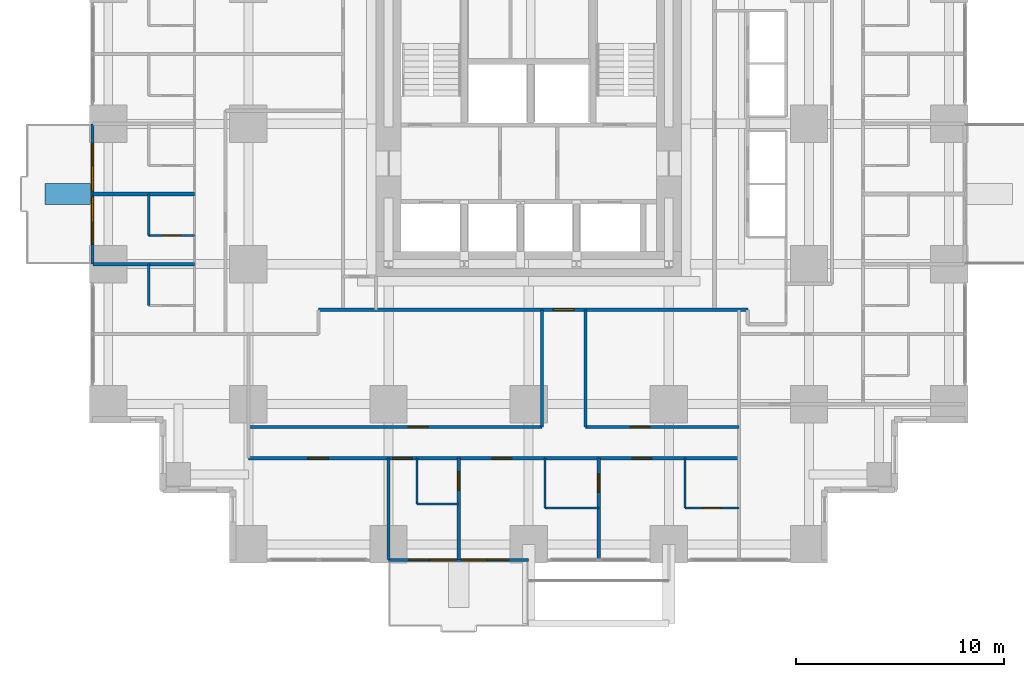
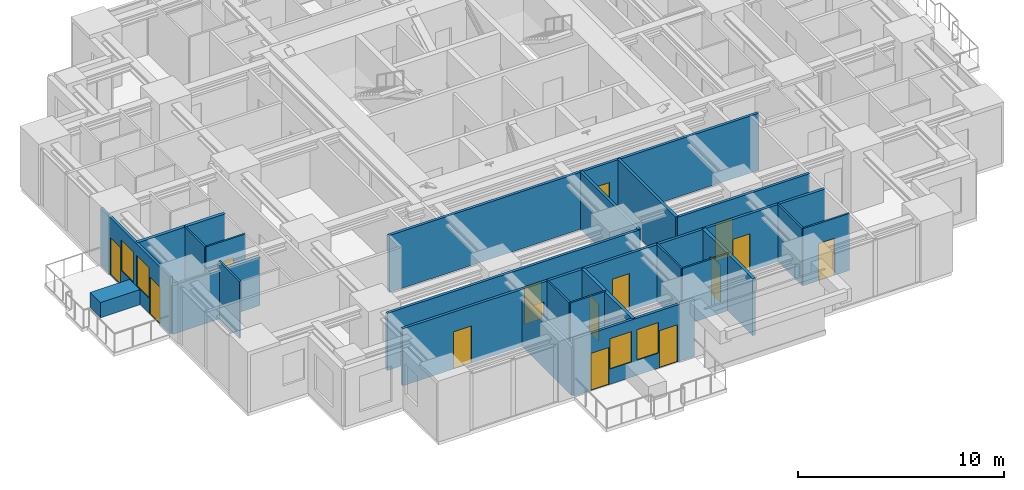
# One storey, part 7 of 13: 23 walls, 15 doors, 4 windows, 19 openings.
"""IFC4 building model written with IfcOpenShell, lengths in metres."""

import ifcopenshell
import ifcopenshell.guid

model = None  # the IFC model being written
_history = None  # IfcOwnerHistory: only IFC2X3 demands one
_inside = {}  # id of a spatial element -> (the spatial element, [elements in it])
_under = {}  # id of a project, library or spatial element -> (it, [spatial elements below it])
_declared = {}  # id of a project -> (the project, [libraries it declares])
_typed = {}  # id of a type object -> (the type object, [elements of that type])
_made_of = {}  # id of a material, layer set ... -> (it, [elements and type objects made of it])


def new_model(schema):
    """Start an empty IFC model of exactly this schema.

    Asked for "IFC4X3", IfcOpenShell would pick the latest addendum, in which some entities
    have other attributes; the version numbers below select the first issue.
    IFC2X3 requires an IfcOwnerHistory on every rooted entity: one is made here for all.
    """
    global model, _history
    if schema == "IFC4X3":
        model = ifcopenshell.file(schema_version=(4, 3, 0, 0))
    else:
        model = ifcopenshell.file(schema=schema)
    _inside.clear()
    _under.clear()
    _declared.clear()
    _typed.clear()
    _made_of.clear()
    _history = None
    if model.schema == "IFC2X3":
        org = make("IfcOrganization", Name="unknown")
        user = make(
            "IfcPersonAndOrganization",
            ThePerson=make("IfcPerson", FamilyName="unknown"),
            TheOrganization=org,
        )
        app = make(
            "IfcApplication",
            ApplicationDeveloper=org,
            Version="unknown",
            ApplicationFullName="unknown",
            ApplicationIdentifier="unknown",
        )
        _history = make(
            "IfcOwnerHistory",
            OwningUser=user,
            OwningApplication=app,
            ChangeAction="ADDED",
            CreationDate=0,
        )
    return model


def make(cls, **values):
    """One entity of the class cls with the attributes given. An attribute that is None is left unset."""
    return model.create_entity(
        cls, **{name: value for name, value in values.items() if value is not None}
    )


def rooted(cls, **values):
    """An entity with a GlobalId (a new one), such as an element, a storey or a relation."""
    return make(cls, GlobalId=ifcopenshell.guid.new(), OwnerHistory=_history, **values)


def si_unit(unit_type, name, prefix=None):
    """IfcSIUnit, for example si_unit("LENGTHUNIT", "METRE", prefix="MILLI")."""
    return make("IfcSIUnit", UnitType=unit_type, Prefix=prefix, Name=name)


def assignment(units):
    """IfcUnitAssignment: the units of a project."""
    return None if units is None else make("IfcUnitAssignment", Units=units)


def point(xyz):
    """IfcCartesianPoint."""
    return None if xyz is None else make("IfcCartesianPoint", Coordinates=xyz)


def direction(xyz):
    """IfcDirection."""
    return None if xyz is None else make("IfcDirection", DirectionRatios=xyz)


def frame(location, z_axis=None, x_axis=None):
    """IfcAxis2Placement3D, a coordinate frame: its origin and axes. An axis left out is left unset."""
    return make(
        "IfcAxis2Placement3D",
        Location=point(location),
        Axis=direction(z_axis),
        RefDirection=direction(x_axis),
    )


def frame_2d(location, x_axis=None):
    """IfcAxis2Placement2D, a coordinate frame in the plane: its origin and x axis."""
    return make(
        "IfcAxis2Placement2D", Location=point(location), RefDirection=direction(x_axis)
    )


def origin():
    """The frame at (0, 0, 0) with its axes left unset."""
    return frame((0.0, 0.0, 0.0))


def place(relative_to, where):
    """IfcLocalPlacement: puts the frame where relative to a parent placement (None: the world)."""
    return make(
        "IfcLocalPlacement", PlacementRelTo=relative_to, RelativePlacement=where
    )


def context(
    kind, dimensions, precision=None, world=None, true_north=None, identifier=None
):
    """IfcGeometricRepresentationContext, for example the 3D "Model" context."""
    return make(
        "IfcGeometricRepresentationContext",
        ContextIdentifier=identifier,
        ContextType=kind,
        CoordinateSpaceDimension=dimensions,
        Precision=precision,
        WorldCoordinateSystem=world,
        TrueNorth=true_north,
    )


def subcontext(parent, identifier, kind, view, scale=None):
    """IfcGeometricRepresentationSubContext, for example "Body" below "Model"."""
    return make(
        "IfcGeometricRepresentationSubContext",
        ContextIdentifier=identifier,
        ContextType=kind,
        ParentContext=parent,
        TargetScale=scale,
        TargetView=view,
    )


def project(units=None, contexts=None):
    """IfcProject with its units and contexts."""
    return rooted(
        "IfcProject",
        Name="project",
        RepresentationContexts=contexts,
        UnitsInContext=assignment(units),
    )


def spatial(cls, under=None, at=None, **own):
    """A site, building, storey or space (cls), placed at a placement, below another one or the project."""
    s = rooted(cls, ObjectPlacement=at, **own)
    if under is not None:
        _under.setdefault(under.id(), (under, []))[1].append(s)
    return s


def profile(cls, at=None, kind="AREA", **sizes):
    """A parametric profile (cls). Its sizes go by their IFC names, for example OverallWidth=200.0."""
    return make(cls, ProfileType=kind, Position=at, **sizes)


def rectangle(**sizes):
    """IfcRectangleProfileDef."""
    return profile("IfcRectangleProfileDef", **sizes)


def extrude(swept, where, along, depth):
    """IfcExtrudedAreaSolid: the profile swept, set in the frame where, extruded along a direction by depth."""
    return make(
        "IfcExtrudedAreaSolid",
        SweptArea=swept,
        Position=where,
        ExtrudedDirection=direction(along),
        Depth=depth,
    )


def shape(context_of_items, identifier, shape_type, items):
    """IfcShapeRepresentation: the items that make up one representation, for example the "Body"."""
    return make(
        "IfcShapeRepresentation",
        ContextOfItems=context_of_items,
        RepresentationIdentifier=identifier,
        RepresentationType=shape_type,
        Items=items,
    )


def material(Name=None, Category=None):
    """IfcMaterial."""
    return make("IfcMaterial", Name=Name, Category=Category)


def layer(
    of_material, thickness, ventilated=None, Name=None, Category=None, Priority=None
):
    """IfcMaterialLayer: one layer of a wall or slab, of a material (None: an air gap)."""
    return make(
        "IfcMaterialLayer",
        Material=of_material,
        LayerThickness=thickness,
        IsVentilated=ventilated,
        Name=Name,
        Category=Category,
        Priority=Priority,
    )


def layer_set(layers, Name=None):
    """IfcMaterialLayerSet."""
    return make("IfcMaterialLayerSet", MaterialLayers=layers, LayerSetName=Name)


def made_of(thing, what):
    """Note that an element or type object is made of a material, layer set ...; save() writes the relation."""
    if what is not None:
        _made_of.setdefault(what.id(), (what, []))[1].append(thing)
    return thing


def type_object(cls, material=None, **own):
    """A type object (cls), such as IfcWallType, which elements share."""
    return made_of(rooted(cls, **own), material)


def element(
    cls,
    number,
    at=None,
    inside=None,
    cuts=None,
    type_object=None,
    material=None,
    context=None,
    identifier="Body",
    shape_type=None,
    held_by="IfcProductDefinitionShape",
    body=None,
    shapes=None,
    **own,
):
    """One element of the class cls, such as IfcWall. Its Tag is "e" and its number.

    at: its placement. inside: the storey or other place that contains it. cuts: it is an
    opening in that element (IfcRelVoidsElement). A single representation is given by context,
    identifier, shape_type and body (its items); several are given by shapes. held_by: the class
    of the entity that holds the representations. save() writes the other relations.
    """
    e = rooted(cls, Tag="e%d" % number, ObjectPlacement=at, **own)
    if body is not None:
        shapes = [shape(context, identifier, shape_type, body)]
    if shapes is not None:
        e.Representation = make(held_by, Representations=shapes)
    if inside is not None:
        _inside.setdefault(inside.id(), (inside, []))[1].append(e)
    if cuts is not None:
        rooted(
            "IfcRelVoidsElement", RelatingBuildingElement=cuts, RelatedOpeningElement=e
        )
    if type_object is not None:
        _typed.setdefault(type_object.id(), (type_object, []))[1].append(e)
    return made_of(e, material)


def fill(opening, filler):
    """IfcRelFillsElement: the door or window that sits in an opening."""
    return rooted(
        "IfcRelFillsElement",
        RelatingOpeningElement=opening,
        RelatedBuildingElement=filler,
    )


def aggregate(whole, parts):
    """IfcRelAggregates: a whole, such as a stair, and the parts it consists of."""
    return rooted("IfcRelAggregates", RelatingObject=whole, RelatedObjects=parts)


def save(model, path):
    """Write the relations noted so far, then the file.

    IfcRelAggregates (storeys below a building ...), IfcRelContainedInSpatialStructure (elements
    in a storey), IfcRelDefinesByType, IfcRelAssociatesMaterial and IfcRelDeclares: one each for
    every whole, place, type object, material and project.
    """
    for whole, parts in _under.values():
        aggregate(whole, parts)
    for where, things in _inside.values():
        rooted(
            "IfcRelContainedInSpatialStructure",
            RelatedElements=things,
            RelatingStructure=where,
        )
    for kind, things in _typed.values():
        rooted("IfcRelDefinesByType", RelatedObjects=things, RelatingType=kind)
    for what, things in _made_of.values():
        rooted("IfcRelAssociatesMaterial", RelatedObjects=things, RelatingMaterial=what)
    for by, libraries in _declared.values():
        rooted("IfcRelDeclares", RelatingContext=by, RelatedDefinitions=libraries)
    model.write(path)


model = new_model("IFC4")

# Units and contexts
model_context = context("Model", 3, precision=1e-05, world=origin(), true_north=direction((0.0, 1.0)))
body_context = subcontext(model_context, "Body", "Model", "MODEL_VIEW")
ifc_project = project(units=[si_unit("LENGTHUNIT", "METRE"), si_unit("AREAUNIT", "SQUARE_METRE"), si_unit("VOLUMEUNIT", "CUBIC_METRE"), si_unit("PLANEANGLEUNIT", "RADIAN"), si_unit("MASSUNIT", "GRAM", prefix="KILO")], contexts=[model_context])

# Site, building, storey
site_placement = place(None, origin())
site = spatial("IfcSite", under=ifc_project, at=site_placement, CompositionType="ELEMENT")
building_placement = place(site_placement, origin())
building = spatial("IfcBuilding", under=site, at=building_placement, Name="Nyansa Garden Tower", CompositionType="ELEMENT")
storey_placement = place(building_placement, frame((0.0, 0.0, 94.5)))
storey = spatial("IfcBuildingStorey", under=building, at=storey_placement, Name="L25", CompositionType="ELEMENT", Elevation=94.5)

# Walls
ifc_material_1 = material(Name="Dense blockwork, plastered both sides, 55 dB", Category="masonry")
ifc_layer_1 = layer(ifc_material_1, 0.175048828125)
ifc_layer_set_1 = layer_set([ifc_layer_1], Name="Acoustic party wall PW175")
wall_type_1 = type_object("IfcWallType", Name="Acoustic party wall PW175", PredefinedType="PARTITIONING", material=ifc_layer_set_1)
wall_1_placement = place(storey_placement, frame((-0.73388671875, 13.5, 0.0), z_axis=(0.0, 0.0, 1.0), x_axis=(1.0, 0.0, 0.0)))
element("IfcWall", 1, at=wall_1_placement, inside=storey, type_object=wall_type_1, Name="Party wall", PredefinedType="PARTITIONING", context=body_context, shape_type="SweptSolid", body=[
    extrude(rectangle(XDim=4.8837890625, YDim=0.175048828125, at=frame_2d((2.44189453125, 0.0))), origin(), (0.0, 0.0, 1.0), 2.876953125),
])
wall_2_placement = place(storey_placement, frame((-0.73388671875, 16.875, 0.0), z_axis=(0.0, 0.0, 1.0), x_axis=(1.0, 0.0, 0.0)))
element("IfcWall", 2, at=wall_2_placement, inside=storey, type_object=wall_type_1, Name="Party wall", PredefinedType="PARTITIONING", context=body_context, shape_type="SweptSolid", body=[
    extrude(rectangle(XDim=4.8837890625, YDim=0.175048828125, at=frame_2d((2.44189453125, 0.0))), origin(), (0.0, 0.0, 1.0), 3.375),
])

# Wall, opening, door
wall_3_placement = place(storey_placement, frame((16.875, -0.73388671875, 0.0), z_axis=(0.0, 0.0, 1.0), x_axis=(0.0, 1.0, 0.0)))
wall_3 = element("IfcWall", 3, at=wall_3_placement, inside=storey, type_object=wall_type_1, Name="Party wall", PredefinedType="PARTITIONING", context=body_context, shape_type="SweptSolid", body=[
    extrude(rectangle(XDim=4.8837890625, YDim=0.175048828125, at=frame_2d((2.44189453125, 0.0))), origin(), (0.0, 0.0, 1.0), 3.375),
])
opening_1_placement = place(wall_3_placement, frame((3.333984375, 0.0, 0.0)))
opening_1 = element("IfcOpeningElement", 4, at=opening_1_placement, cuts=wall_3, Name="Opening D02", PredefinedType="OPENING", context=body_context, shape_type="SweptSolid", body=[
    extrude(rectangle(XDim=0.89990234375, YDim=2.199951171875, at=frame_2d((0.449951171875, 1.10009765625))), frame((0.0, 0.097412109375, 0.0), z_axis=(0.0, -1.0, 0.0), x_axis=(1.0, 0.0, 0.0)), (0.0, 0.0, 1.0), 0.195068359375),
])
ifc_material_2 = material(Name="Timber flush door", Category="wood")
door_type_1 = type_object("IfcDoorType", Name="En-suite door D02 900x2200", OperationType="SINGLE_SWING_RIGHT", PredefinedType="DOOR", material=ifc_material_2)
door_1_placement = place(opening_1_placement, origin())
door_1 = element("IfcDoor", 5, at=door_1_placement, inside=storey, type_object=door_type_1, Name="Door L25-023", OperationType="SINGLE_SWING_RIGHT", OverallHeight=2.199951171875, OverallWidth=0.89990234375, PredefinedType="DOOR", context=body_context, shape_type="SweptSolid", body=[
    extrude(rectangle(XDim=0.89990234375, YDim=2.199951171875, at=frame_2d((0.449951171875, 1.10009765625))), frame((0.0, 0.02490234375, 0.0), z_axis=(0.0, -1.0, 0.0), x_axis=(1.0, 0.0, 0.0)), (0.0, 0.0, 1.0), 0.050048828125),
])
fill(opening_1, door_1)

wall_4_placement = place(storey_placement, frame((23.625, -0.73388671875, 0.0), z_axis=(0.0, 0.0, 1.0), x_axis=(0.0, 1.0, 0.0)))
wall_4 = element("IfcWall", 6, at=wall_4_placement, inside=storey, type_object=wall_type_1, Name="Party wall", PredefinedType="PARTITIONING", context=body_context, shape_type="SweptSolid", body=[
    extrude(rectangle(XDim=4.8837890625, YDim=0.175048828125, at=frame_2d((2.44189453125, 0.0))), origin(), (0.0, 0.0, 1.0), 3.375),
])
opening_2_placement = place(wall_4_placement, frame((3.23388671875, 0.0, 0.0)))
opening_2 = element("IfcOpeningElement", 7, at=opening_2_placement, cuts=wall_4, Name="Opening D02", PredefinedType="OPENING", context=body_context, shape_type="SweptSolid", body=[
    extrude(rectangle(XDim=0.89990234375, YDim=2.199951171875, at=frame_2d((0.449951171875, 1.10009765625))), frame((0.0, 0.097412109375, 0.0), z_axis=(0.0, -1.0, 0.0), x_axis=(1.0, 0.0, 0.0)), (0.0, 0.0, 1.0), 0.195068359375),
])
door_2_placement = place(opening_2_placement, origin())
door_2 = element("IfcDoor", 8, at=door_2_placement, inside=storey, type_object=door_type_1, Name="Door L25-021", OperationType="SINGLE_SWING_RIGHT", OverallHeight=2.199951171875, OverallWidth=0.89990234375, PredefinedType="DOOR", context=body_context, shape_type="SweptSolid", body=[
    extrude(rectangle(XDim=0.89990234375, YDim=2.199951171875, at=frame_2d((0.449951171875, 1.10009765625))), frame((0.0, 0.02490234375, 0.0), z_axis=(0.0, -1.0, 0.0), x_axis=(1.0, 0.0, 0.0)), (0.0, 0.0, 1.0), 0.050048828125),
])
fill(opening_2, door_2)

# Wall, openings, doors, windows
ifc_material_3 = material(Name="Black aluminium framed glazed screen", Category="aluminium")
ifc_layer_2 = layer(ifc_material_3, 0.14990234375)
ifc_layer_set_2 = layer_set([ifc_layer_2], Name="Balcony screen wall BW150")
wall_type_2 = type_object("IfcWallType", Name="Balcony screen wall BW150", PredefinedType="SOLIDWALL", material=ifc_layer_set_2)
wall_5_placement = place(storey_placement, frame((-0.75, 13.5, 0.0), z_axis=(0.0, 0.0, 1.0), x_axis=(0.0, 1.0, 0.0)))
wall_5 = element("IfcWall", 9, at=wall_5_placement, inside=storey, type_object=wall_type_2, Name="Glazed screen wall L25 W", PredefinedType="SOLIDWALL", context=body_context, shape_type="SweptSolid", body=[
    extrude(rectangle(XDim=6.75, YDim=0.14990234375, at=frame_2d((3.375, 0.0))), origin(), (0.0, 0.0, 1.0), 3.375),
])
opening_3_placement = place(wall_5_placement, frame((0.96240234375, 0.0, 0.0)))
opening_3 = element("IfcOpeningElement", 10, at=opening_3_placement, cuts=wall_5, Name="Opening D20", PredefinedType="OPENING", context=body_context, shape_type="SweptSolid", body=[
    extrude(rectangle(XDim=1.0, YDim=2.199951171875, at=frame_2d((0.5, 1.10009765625))), frame((0.0, 0.0849609375, 0.0), z_axis=(0.0, -1.0, 0.0), x_axis=(1.0, 0.0, 0.0)), (0.0, 0.0, 1.0), 0.169921875),
])
opening_4_placement = place(wall_5_placement, frame((2.02490234375, 0.0, 0.89990234375)))
opening_4 = element("IfcOpeningElement", 11, at=opening_4_placement, cuts=wall_5, Name="Opening W6", PredefinedType="OPENING", context=body_context, shape_type="SweptSolid", body=[
    extrude(rectangle(XDim=1.199951171875, YDim=1.800048828125, at=frame_2d((0.60009765625, 0.89990234375))), frame((0.0, 0.0849609375, 0.0), z_axis=(0.0, -1.0, 0.0), x_axis=(1.0, 0.0, 0.0)), (0.0, 0.0, 1.0), 0.169921875),
])
opening_5_placement = place(wall_5_placement, frame((4.78759765625, 0.0, 0.0)))
opening_5 = element("IfcOpeningElement", 12, at=opening_5_placement, cuts=wall_5, Name="Opening D20", PredefinedType="OPENING", context=body_context, shape_type="SweptSolid", body=[
    extrude(rectangle(XDim=1.0, YDim=2.199951171875, at=frame_2d((0.5, 1.10009765625))), frame((0.0, 0.0849609375, 0.0), z_axis=(0.0, -1.0, 0.0), x_axis=(1.0, 0.0, 0.0)), (0.0, 0.0, 1.0), 0.169921875),
])
opening_6_placement = place(wall_5_placement, frame((3.52490234375, 0.0, 0.89990234375)))
opening_6 = element("IfcOpeningElement", 13, at=opening_6_placement, cuts=wall_5, Name="Opening W6", PredefinedType="OPENING", context=body_context, shape_type="SweptSolid", body=[
    extrude(rectangle(XDim=1.199951171875, YDim=1.800048828125, at=frame_2d((0.60009765625, 0.89990234375))), frame((0.0, 0.0849609375, 0.0), z_axis=(0.0, -1.0, 0.0), x_axis=(1.0, 0.0, 0.0)), (0.0, 0.0, 1.0), 0.169921875),
])
ifc_material_4 = material(Name="Black aluminium framed glazed door", Category="aluminium")
door_type_2 = type_object("IfcDoorType", Name="Balcony door D20 1000x2200", OperationType="NOTDEFINED", PredefinedType="DOOR", material=ifc_material_4)
door_3_placement = place(opening_3_placement, origin())
door_3 = element("IfcDoor", 14, at=door_3_placement, inside=storey, type_object=door_type_2, Name="Balcony door L25", OperationType="SINGLE_SWING_LEFT", OverallHeight=2.199951171875, OverallWidth=1.0, PredefinedType="DOOR", context=body_context, shape_type="SweptSolid", body=[
    extrude(rectangle(XDim=1.0, YDim=2.199951171875, at=frame_2d((0.5, 1.10009765625))), frame((0.0, 0.02490234375, 0.0), z_axis=(0.0, -1.0, 0.0), x_axis=(1.0, 0.0, 0.0)), (0.0, 0.0, 1.0), 0.050048828125),
])
fill(opening_3, door_3)
door_4_placement = place(opening_5_placement, origin())
door_4 = element("IfcDoor", 15, at=door_4_placement, inside=storey, type_object=door_type_2, Name="Balcony door L25", OperationType="SINGLE_SWING_RIGHT", OverallHeight=2.199951171875, OverallWidth=1.0, PredefinedType="DOOR", context=body_context, shape_type="SweptSolid", body=[
    extrude(rectangle(XDim=1.0, YDim=2.199951171875, at=frame_2d((0.5, 1.10009765625))), frame((0.0, 0.02490234375, 0.0), z_axis=(0.0, -1.0, 0.0), x_axis=(1.0, 0.0, 0.0)), (0.0, 0.0, 1.0), 0.050048828125),
])
fill(opening_5, door_4)
ifc_material_5 = material(Name="Black aluminium frame, dark tinted double glazing", Category="aluminium")
window_type = type_object("IfcWindowType", Name="Balcony window W6 1200x1800", PartitioningType="SINGLE_PANEL", PredefinedType="WINDOW", material=ifc_material_5)
window_1_placement = place(opening_4_placement, origin())
window_1 = element("IfcWindow", 16, at=window_1_placement, inside=storey, type_object=window_type, Name="Window L25", OverallHeight=1.800048828125, OverallWidth=1.199951171875, PartitioningType="SINGLE_PANEL", PredefinedType="WINDOW", context=body_context, shape_type="SweptSolid", body=[
    extrude(rectangle(XDim=1.199951171875, YDim=1.800048828125, at=frame_2d((0.60009765625, 0.89990234375))), frame((0.0, 0.030029296875, 0.0), z_axis=(0.0, -1.0, 0.0), x_axis=(1.0, 0.0, 0.0)), (0.0, 0.0, 1.0), 0.06005859375),
])
fill(opening_4, window_1)
window_2_placement = place(opening_6_placement, origin())
window_2 = element("IfcWindow", 17, at=window_2_placement, inside=storey, type_object=window_type, Name="Window L25", OverallHeight=1.800048828125, OverallWidth=1.199951171875, PartitioningType="SINGLE_PANEL", PredefinedType="WINDOW", context=body_context, shape_type="SweptSolid", body=[
    extrude(rectangle(XDim=1.199951171875, YDim=1.800048828125, at=frame_2d((0.60009765625, 0.89990234375))), frame((0.0, 0.030029296875, 0.0), z_axis=(0.0, -1.0, 0.0), x_axis=(1.0, 0.0, 0.0)), (0.0, 0.0, 1.0), 0.06005859375),
])
fill(opening_6, window_2)

wall_6_placement = place(storey_placement, frame((20.25, -0.75, 0.0), z_axis=(0.0, 0.0, 1.0), x_axis=(-1.0, 0.0, 0.0)))
wall_6 = element("IfcWall", 18, at=wall_6_placement, inside=storey, type_object=wall_type_2, Name="Glazed screen wall L25 S", PredefinedType="SOLIDWALL", context=body_context, shape_type="SweptSolid", body=[
    extrude(rectangle(XDim=6.75, YDim=0.14990234375, at=frame_2d((3.375, 0.0))), origin(), (0.0, 0.0, 1.0), 3.375),
])
opening_7_placement = place(wall_6_placement, frame((0.96240234375, 0.0, 0.0)))
opening_7 = element("IfcOpeningElement", 19, at=opening_7_placement, cuts=wall_6, Name="Opening D20", PredefinedType="OPENING", context=body_context, shape_type="SweptSolid", body=[
    extrude(rectangle(XDim=1.0, YDim=2.199951171875, at=frame_2d((0.5, 1.10009765625))), frame((0.0, 0.0849609375, 0.0), z_axis=(0.0, -1.0, 0.0), x_axis=(1.0, 0.0, 0.0)), (0.0, 0.0, 1.0), 0.169921875),
])
opening_8_placement = place(wall_6_placement, frame((2.02490234375, 0.0, 0.89990234375)))
opening_8 = element("IfcOpeningElement", 20, at=opening_8_placement, cuts=wall_6, Name="Opening W6", PredefinedType="OPENING", context=body_context, shape_type="SweptSolid", body=[
    extrude(rectangle(XDim=1.199951171875, YDim=1.800048828125, at=frame_2d((0.60009765625, 0.89990234375))), frame((0.0, 0.0849609375, 0.0), z_axis=(0.0, -1.0, 0.0), x_axis=(1.0, 0.0, 0.0)), (0.0, 0.0, 1.0), 0.169921875),
])
opening_9_placement = place(wall_6_placement, frame((4.78759765625, 0.0, 0.0)))
opening_9 = element("IfcOpeningElement", 21, at=opening_9_placement, cuts=wall_6, Name="Opening D20", PredefinedType="OPENING", context=body_context, shape_type="SweptSolid", body=[
    extrude(rectangle(XDim=1.0, YDim=2.199951171875, at=frame_2d((0.5, 1.10009765625))), frame((0.0, 0.0849609375, 0.0), z_axis=(0.0, -1.0, 0.0), x_axis=(1.0, 0.0, 0.0)), (0.0, 0.0, 1.0), 0.169921875),
])
opening_10_placement = place(wall_6_placement, frame((3.52490234375, 0.0, 0.89990234375)))
opening_10 = element("IfcOpeningElement", 22, at=opening_10_placement, cuts=wall_6, Name="Opening W6", PredefinedType="OPENING", context=body_context, shape_type="SweptSolid", body=[
    extrude(rectangle(XDim=1.199951171875, YDim=1.800048828125, at=frame_2d((0.60009765625, 0.89990234375))), frame((0.0, 0.0849609375, 0.0), z_axis=(0.0, -1.0, 0.0), x_axis=(1.0, 0.0, 0.0)), (0.0, 0.0, 1.0), 0.169921875),
])
door_5_placement = place(opening_7_placement, origin())
door_5 = element("IfcDoor", 23, at=door_5_placement, inside=storey, type_object=door_type_2, Name="Balcony door L25", OperationType="SINGLE_SWING_LEFT", OverallHeight=2.199951171875, OverallWidth=1.0, PredefinedType="DOOR", context=body_context, shape_type="SweptSolid", body=[
    extrude(rectangle(XDim=1.0, YDim=2.199951171875, at=frame_2d((0.5, 1.10009765625))), frame((0.0, 0.02490234375, 0.0), z_axis=(0.0, -1.0, 0.0), x_axis=(1.0, 0.0, 0.0)), (0.0, 0.0, 1.0), 0.050048828125),
])
fill(opening_7, door_5)
door_6_placement = place(opening_9_placement, origin())
door_6 = element("IfcDoor", 24, at=door_6_placement, inside=storey, type_object=door_type_2, Name="Balcony door L25", OperationType="SINGLE_SWING_RIGHT", OverallHeight=2.199951171875, OverallWidth=1.0, PredefinedType="DOOR", context=body_context, shape_type="SweptSolid", body=[
    extrude(rectangle(XDim=1.0, YDim=2.199951171875, at=frame_2d((0.5, 1.10009765625))), frame((0.0, 0.02490234375, 0.0), z_axis=(0.0, -1.0, 0.0), x_axis=(1.0, 0.0, 0.0)), (0.0, 0.0, 1.0), 0.050048828125),
])
fill(opening_9, door_6)
window_3_placement = place(opening_8_placement, origin())
window_3 = element("IfcWindow", 25, at=window_3_placement, inside=storey, type_object=window_type, Name="Window L25", OverallHeight=1.800048828125, OverallWidth=1.199951171875, PartitioningType="SINGLE_PANEL", PredefinedType="WINDOW", context=body_context, shape_type="SweptSolid", body=[
    extrude(rectangle(XDim=1.199951171875, YDim=1.800048828125, at=frame_2d((0.60009765625, 0.89990234375))), frame((0.0, 0.030029296875, 0.0), z_axis=(0.0, -1.0, 0.0), x_axis=(1.0, 0.0, 0.0)), (0.0, 0.0, 1.0), 0.06005859375),
])
fill(opening_8, window_3)
window_4_placement = place(opening_10_placement, origin())
window_4 = element("IfcWindow", 26, at=window_4_placement, inside=storey, type_object=window_type, Name="Window L25", OverallHeight=1.800048828125, OverallWidth=1.199951171875, PartitioningType="SINGLE_PANEL", PredefinedType="WINDOW", context=body_context, shape_type="SweptSolid", body=[
    extrude(rectangle(XDim=1.199951171875, YDim=1.800048828125, at=frame_2d((0.60009765625, 0.89990234375))), frame((0.0, 0.030029296875, 0.0), z_axis=(0.0, -1.0, 0.0), x_axis=(1.0, 0.0, 0.0)), (0.0, 0.0, 1.0), 0.06005859375),
])
fill(opening_10, window_4)

# Wall, openings, doors
ifc_material_6 = material(Name="Blockwork, plastered both sides", Category="masonry")
ifc_layer_3 = layer(ifc_material_6, 0.14990234375)
ifc_layer_set_3 = layer_set([ifc_layer_3], Name="Partition PW150")
wall_type_3 = type_object("IfcWallType", Name="Partition PW150", PredefinedType="PARTITIONING", material=ifc_layer_set_3)
wall_7_placement = place(storey_placement, frame((6.75, 4.14990234375, 0.0), z_axis=(0.0, 0.0, 1.0), x_axis=(1.0, 0.0, 0.0)))
wall_7 = element("IfcWall", 27, at=wall_7_placement, inside=storey, type_object=wall_type_3, Name="Partition", PredefinedType="PARTITIONING", context=body_context, shape_type="SweptSolid", body=[
    extrude(rectangle(XDim=23.625, YDim=0.14990234375, at=frame_2d((11.8125, 0.0))), origin(), (0.0, 0.0, 1.0), 3.375),
])
opening_11_placement = place(wall_7_placement, frame((2.85009765625, 0.0, 0.0)))
opening_11 = element("IfcOpeningElement", 28, at=opening_11_placement, cuts=wall_7, Name="Opening D03", PredefinedType="OPENING", context=body_context, shape_type="SweptSolid", body=[
    extrude(rectangle(XDim=1.0, YDim=2.199951171875, at=frame_2d((0.5, 1.10009765625))), frame((0.0, 0.0849609375, 0.0), z_axis=(0.0, -1.0, 0.0), x_axis=(1.0, 0.0, 0.0)), (0.0, 0.0, 1.0), 0.169921875),
])
opening_12_placement = place(wall_7_placement, frame((18.47509765625, 0.0, 0.0)))
opening_12 = element("IfcOpeningElement", 29, at=opening_12_placement, cuts=wall_7, Name="Opening D14", PredefinedType="OPENING", context=body_context, shape_type="SweptSolid", body=[
    extrude(rectangle(XDim=0.949951171875, YDim=2.199951171875, at=frame_2d((0.47509765625, 1.10009765625))), frame((0.0, 0.0849609375, 0.0), z_axis=(0.0, -1.0, 0.0), x_axis=(1.0, 0.0, 0.0)), (0.0, 0.0, 1.0), 0.169921875),
])
opening_13_placement = place(wall_7_placement, frame((11.72509765625, 0.0, 0.0)))
opening_13 = element("IfcOpeningElement", 30, at=opening_13_placement, cuts=wall_7, Name="Opening D14", PredefinedType="OPENING", context=body_context, shape_type="SweptSolid", body=[
    extrude(rectangle(XDim=0.949951171875, YDim=2.199951171875, at=frame_2d((0.47509765625, 1.10009765625))), frame((0.0, 0.0849609375, 0.0), z_axis=(0.0, -1.0, 0.0), x_axis=(1.0, 0.0, 0.0)), (0.0, 0.0, 1.0), 0.169921875),
])
opening_14_placement = place(wall_7_placement, frame((6.949951171875, 0.0, 0.0)))
opening_14 = element("IfcOpeningElement", 31, at=opening_14_placement, cuts=wall_7, Name="Opening D14", PredefinedType="OPENING", context=body_context, shape_type="SweptSolid", body=[
    extrude(rectangle(XDim=0.949951171875, YDim=2.199951171875, at=frame_2d((0.47509765625, 1.10009765625))), frame((0.0, 0.0849609375, 0.0), z_axis=(0.0, -1.0, 0.0), x_axis=(1.0, 0.0, 0.0)), (0.0, 0.0, 1.0), 0.169921875),
])
ifc_material_7 = material(Name="Timber flush door, 60 minute fire resisting", Category="wood")
door_type_3 = type_object("IfcDoorType", Name="Cluster entrance door D03 1000x2200", OperationType="SINGLE_SWING_LEFT", PredefinedType="DOOR", material=ifc_material_7)
door_7_placement = place(opening_11_placement, origin())
door_7 = element("IfcDoor", 32, at=door_7_placement, inside=storey, type_object=door_type_3, Name="Door L25-017", OperationType="SINGLE_SWING_LEFT", OverallHeight=2.199951171875, OverallWidth=1.0, PredefinedType="DOOR", context=body_context, shape_type="SweptSolid", body=[
    extrude(rectangle(XDim=1.0, YDim=2.199951171875, at=frame_2d((0.5, 1.10009765625))), frame((0.0, 0.02490234375, 0.0), z_axis=(0.0, -1.0, 0.0), x_axis=(1.0, 0.0, 0.0)), (0.0, 0.0, 1.0), 0.050048828125),
])
fill(opening_11, door_7)
ifc_material_8 = material(Name="Timber flush door, 60 minute fire resisting, self-closing", Category="wood")
door_type_4 = type_object("IfcDoorType", Name="Studio entrance door D14 950x2200", OperationType="SINGLE_SWING_LEFT", PredefinedType="DOOR", material=ifc_material_8)
door_8_placement = place(opening_12_placement, origin())
door_8 = element("IfcDoor", 33, at=door_8_placement, inside=storey, type_object=door_type_4, Name="Door L25-018", OperationType="SINGLE_SWING_LEFT", OverallHeight=2.199951171875, OverallWidth=0.949951171875, PredefinedType="DOOR", context=body_context, shape_type="SweptSolid", body=[
    extrude(rectangle(XDim=0.949951171875, YDim=2.199951171875, at=frame_2d((0.47509765625, 1.10009765625))), frame((0.0, 0.02490234375, 0.0), z_axis=(0.0, -1.0, 0.0), x_axis=(1.0, 0.0, 0.0)), (0.0, 0.0, 1.0), 0.050048828125),
])
fill(opening_12, door_8)
door_9_placement = place(opening_13_placement, origin())
door_9 = element("IfcDoor", 34, at=door_9_placement, inside=storey, type_object=door_type_4, Name="Door L25-020", OperationType="SINGLE_SWING_LEFT", OverallHeight=2.199951171875, OverallWidth=0.949951171875, PredefinedType="DOOR", context=body_context, shape_type="SweptSolid", body=[
    extrude(rectangle(XDim=0.949951171875, YDim=2.199951171875, at=frame_2d((0.47509765625, 1.10009765625))), frame((0.0, 0.02490234375, 0.0), z_axis=(0.0, -1.0, 0.0), x_axis=(1.0, 0.0, 0.0)), (0.0, 0.0, 1.0), 0.050048828125),
])
fill(opening_13, door_9)
door_10_placement = place(opening_14_placement, origin())
door_10 = element("IfcDoor", 35, at=door_10_placement, inside=storey, type_object=door_type_4, Name="Door L25-022", OperationType="SINGLE_SWING_LEFT", OverallHeight=2.199951171875, OverallWidth=0.949951171875, PredefinedType="DOOR", context=body_context, shape_type="SweptSolid", body=[
    extrude(rectangle(XDim=0.949951171875, YDim=2.199951171875, at=frame_2d((0.47509765625, 1.10009765625))), frame((0.0, 0.02490234375, 0.0), z_axis=(0.0, -1.0, 0.0), x_axis=(1.0, 0.0, 0.0)), (0.0, 0.0, 1.0), 0.050048828125),
])
fill(opening_14, door_10)

# Wall, opening, door
wall_8_placement = place(storey_placement, frame((6.75, 5.64990234375, 0.0), z_axis=(0.0, 0.0, 1.0), x_axis=(1.0, 0.0, 0.0)))
wall_8 = element("IfcWall", 36, at=wall_8_placement, inside=storey, type_object=wall_type_3, Name="Partition", PredefinedType="PARTITIONING", context=body_context, shape_type="SweptSolid", body=[
    extrude(rectangle(XDim=14.137451171875, YDim=0.14990234375, at=frame_2d((7.06884765625, 0.0))), origin(), (0.0, 0.0, 1.0), 3.375),
])
opening_15_placement = place(wall_8_placement, frame((7.699951171875, 0.0, 0.0)))
opening_15 = element("IfcOpeningElement", 37, at=opening_15_placement, cuts=wall_8, Name="Opening D01", PredefinedType="OPENING", context=body_context, shape_type="SweptSolid", body=[
    extrude(rectangle(XDim=0.949951171875, YDim=2.199951171875, at=frame_2d((0.47509765625, 1.10009765625))), frame((0.0, 0.0849609375, 0.0), z_axis=(0.0, -1.0, 0.0), x_axis=(1.0, 0.0, 0.0)), (0.0, 0.0, 1.0), 0.169921875),
])
ifc_material_9 = material(Name="Timber flush door, 30 minute fire resisting", Category="wood")
door_type_5 = type_object("IfcDoorType", Name="Bedroom door D01 950x2200", OperationType="SINGLE_SWING_LEFT", PredefinedType="DOOR", material=ifc_material_9)
door_11_placement = place(opening_15_placement, origin())
door_11 = element("IfcDoor", 38, at=door_11_placement, inside=storey, type_object=door_type_5, Name="Door L25-026", OperationType="SINGLE_SWING_LEFT", OverallHeight=2.199951171875, OverallWidth=0.949951171875, PredefinedType="DOOR", context=body_context, shape_type="SweptSolid", body=[
    extrude(rectangle(XDim=0.949951171875, YDim=2.199951171875, at=frame_2d((0.47509765625, 1.10009765625))), frame((0.0, 0.02490234375, 0.0), z_axis=(0.0, -1.0, 0.0), x_axis=(1.0, 0.0, 0.0)), (0.0, 0.0, 1.0), 0.050048828125),
])
fill(opening_15, door_11)

wall_9_placement = place(storey_placement, frame((10.125, 11.300048828125, 0.0), z_axis=(0.0, 0.0, 1.0), x_axis=(1.0, 0.0, 0.0)))
wall_9 = element("IfcWall", 39, at=wall_9_placement, inside=storey, type_object=wall_type_3, Name="Partition", PredefinedType="PARTITIONING", context=body_context, shape_type="SweptSolid", body=[
    extrude(rectangle(XDim=20.675048828125, YDim=0.14990234375, at=frame_2d((10.33740234375, 0.0))), origin(), (0.0, 0.0, 1.0), 3.375),
])
opening_16_placement = place(wall_9_placement, frame((11.3125, 0.0, 0.0)))
opening_16 = element("IfcOpeningElement", 40, at=opening_16_placement, cuts=wall_9, Name="Opening D03", PredefinedType="OPENING", context=body_context, shape_type="SweptSolid", body=[
    extrude(rectangle(XDim=1.0, YDim=2.199951171875, at=frame_2d((0.5, 1.10009765625))), frame((0.0, 0.0849609375, 0.0), z_axis=(0.0, -1.0, 0.0), x_axis=(1.0, 0.0, 0.0)), (0.0, 0.0, 1.0), 0.169921875),
])
door_12_placement = place(opening_16_placement, origin())
door_12 = element("IfcDoor", 41, at=door_12_placement, inside=storey, type_object=door_type_3, Name="Door L25-024", OperationType="SINGLE_SWING_LEFT", OverallHeight=2.199951171875, OverallWidth=1.0, PredefinedType="DOOR", context=body_context, shape_type="SweptSolid", body=[
    extrude(rectangle(XDim=1.0, YDim=2.199951171875, at=frame_2d((0.5, 1.10009765625))), frame((0.0, 0.02490234375, 0.0), z_axis=(0.0, -1.0, 0.0), x_axis=(1.0, 0.0, 0.0)), (0.0, 0.0, 1.0), 0.050048828125),
])
fill(opening_16, door_12)

# Walls
wall_10_placement = place(storey_placement, frame((13.5, -0.73388671875, 0.0), z_axis=(0.0, 0.0, 1.0), x_axis=(0.0, 1.0, 0.0)))
element("IfcWall", 42, at=wall_10_placement, inside=storey, type_object=wall_type_3, Name="Partition", PredefinedType="PARTITIONING", context=body_context, shape_type="SweptSolid", body=[
    extrude(rectangle(XDim=4.8837890625, YDim=0.14990234375, at=frame_2d((2.44189453125, 0.0))), origin(), (0.0, 0.0, 1.0), 2.876953125),
])
wall_11_placement = place(storey_placement, frame((20.886962890625, 5.64990234375, 0.0), z_axis=(0.0, 0.0, 1.0), x_axis=(0.0, 1.0, 0.0)))
element("IfcWall", 43, at=wall_11_placement, inside=storey, type_object=wall_type_3, Name="Partition", PredefinedType="PARTITIONING", context=body_context, shape_type="SweptSolid", body=[
    extrude(rectangle(XDim=5.650146484375, YDim=0.14990234375, at=frame_2d((2.8251953125, 0.0))), origin(), (0.0, 0.0, 1.0), 3.375),
])

# Wall, opening, door
wall_12_placement = place(storey_placement, frame((22.987548828125, 5.64990234375, 0.0), z_axis=(0.0, 0.0, 1.0), x_axis=(1.0, 0.0, 0.0)))
wall_12 = element("IfcWall", 44, at=wall_12_placement, inside=storey, type_object=wall_type_3, Name="Partition", PredefinedType="PARTITIONING", context=body_context, shape_type="SweptSolid", body=[
    extrude(rectangle(XDim=7.387451171875, YDim=0.14990234375, at=frame_2d((3.69384765625, 0.0))), origin(), (0.0, 0.0, 1.0), 3.375),
])
opening_17_placement = place(wall_12_placement, frame((2.14990234375, 0.0, 0.0)))
opening_17 = element("IfcOpeningElement", 45, at=opening_17_placement, cuts=wall_12, Name="Opening D01", PredefinedType="OPENING", context=body_context, shape_type="SweptSolid", body=[
    extrude(rectangle(XDim=0.949951171875, YDim=2.199951171875, at=frame_2d((0.47509765625, 1.10009765625))), frame((0.0, 0.0849609375, 0.0), z_axis=(0.0, -1.0, 0.0), x_axis=(1.0, 0.0, 0.0)), (0.0, 0.0, 1.0), 0.169921875),
])
door_13_placement = place(opening_17_placement, origin())
door_13 = element("IfcDoor", 46, at=door_13_placement, inside=storey, type_object=door_type_5, Name="Door L25-025", OperationType="SINGLE_SWING_LEFT", OverallHeight=2.199951171875, OverallWidth=0.949951171875, PredefinedType="DOOR", context=body_context, shape_type="SweptSolid", body=[
    extrude(rectangle(XDim=0.949951171875, YDim=2.199951171875, at=frame_2d((0.47509765625, 1.10009765625))), frame((0.0, 0.02490234375, 0.0), z_axis=(0.0, -1.0, 0.0), x_axis=(1.0, 0.0, 0.0)), (0.0, 0.0, 1.0), 0.050048828125),
])
fill(opening_17, door_13)

# Walls
wall_13_placement = place(storey_placement, frame((22.988037109375, 5.64990234375, 0.0), z_axis=(0.0, 0.0, 1.0), x_axis=(0.0, 1.0, 0.0)))
element("IfcWall", 47, at=wall_13_placement, inside=storey, type_object=wall_type_3, Name="Partition", PredefinedType="PARTITIONING", context=body_context, shape_type="SweptSolid", body=[
    extrude(rectangle(XDim=5.650146484375, YDim=0.14990234375, at=frame_2d((2.8251953125, 0.0))), origin(), (0.0, 0.0, 1.0), 3.375),
])
ifc_material_10 = material(Name="Concrete C40/50 planter, waterproofed", Category="concrete")
ifc_layer_4 = layer(ifc_material_10, 1.0)
ifc_layer_set_4 = layer_set([ifc_layer_4], Name="Tree planter TP1")
wall_type_4 = type_object("IfcWallType", Name="Tree planter TP1", PredefinedType="USERDEFINED", material=ifc_layer_set_4)
wall_14_placement = place(storey_placement, frame((-0.85009765625, 16.875, 0.0), z_axis=(0.0, 0.0, 1.0), x_axis=(-1.0, 0.0, 0.0)))
element("IfcWall", 48, at=wall_14_placement, inside=storey, type_object=wall_type_4, Name="Tree planter L25", ObjectType="TREE PLANTER", PredefinedType="USERDEFINED", context=body_context, shape_type="SweptSolid", body=[
    extrude(rectangle(XDim=2.199951171875, YDim=1.0, at=frame_2d((1.10009765625, 0.0))), origin(), (0.0, 0.0, 1.0), 0.89990234375),
])
ifc_material_11 = material(Name="Moisture resistant board on steel studs, tiled", Category="steel")
ifc_layer_5 = layer(ifc_material_11, 0.10009765625)
ifc_layer_set_5 = layer_set([ifc_layer_5], Name="Wet wall PW100")
wall_type_5 = type_object("IfcWallType", Name="Wet wall PW100", PredefinedType="PARTITIONING", material=ifc_layer_set_5)
for number, where, z_axis, x_axis, name in (
    (49, (1.949951171875, 11.5, 0.0), (0.0, 0.0, 1.0), (0.0, 1.0, 0.0), "Wet wall"),
    (50, (1.949951171875, 14.875, 0.0), (0.0, 0.0, 1.0), (0.0, 1.0, 0.0), "Wet wall"),
):
    element("IfcWall", number, at=place(storey_placement, frame(where, z_axis=z_axis, x_axis=x_axis)), inside=storey, type_object=wall_type_5, Name=name, PredefinedType="PARTITIONING", context=body_context, shape_type="SweptSolid", body=[
        extrude(rectangle(XDim=2.0, YDim=0.10009765625, at=frame_2d((1.0, 0.0))), origin(), (0.0, 0.0, 1.0), 3.375),
    ])

# Wall, opening, door
wall_15_placement = place(storey_placement, frame((1.949951171875, 14.875, 0.0), z_axis=(0.0, 0.0, 1.0), x_axis=(1.0, 0.0, 0.0)))
wall_15 = element("IfcWall", 51, at=wall_15_placement, inside=storey, type_object=wall_type_5, Name="Wet wall", PredefinedType="PARTITIONING", context=body_context, shape_type="SweptSolid", body=[
    extrude(rectangle(XDim=2.199951171875, YDim=0.10009765625, at=frame_2d((1.10009765625, 0.0))), origin(), (0.0, 0.0, 1.0), 3.375),
])
opening_18_placement = place(wall_15_placement, frame((0.64990234375, 0.0, 0.0)))
opening_18 = element("IfcOpeningElement", 52, at=opening_18_placement, cuts=wall_15, Name="Opening D02", PredefinedType="OPENING", context=body_context, shape_type="SweptSolid", body=[
    extrude(rectangle(XDim=0.89990234375, YDim=2.199951171875, at=frame_2d((0.449951171875, 1.10009765625))), frame((0.0, 0.06005859375, 0.0), z_axis=(0.0, -1.0, 0.0), x_axis=(1.0, 0.0, 0.0)), (0.0, 0.0, 1.0), 0.1201171875),
])
door_14_placement = place(opening_18_placement, origin())
door_14 = element("IfcDoor", 53, at=door_14_placement, inside=storey, type_object=door_type_1, Name="Door L25-058", OperationType="SINGLE_SWING_RIGHT", OverallHeight=2.199951171875, OverallWidth=0.89990234375, PredefinedType="DOOR", context=body_context, shape_type="SweptSolid", body=[
    extrude(rectangle(XDim=0.89990234375, YDim=2.199951171875, at=frame_2d((0.449951171875, 1.10009765625))), frame((0.0, 0.02490234375, 0.0), z_axis=(0.0, -1.0, 0.0), x_axis=(1.0, 0.0, 0.0)), (0.0, 0.0, 1.0), 0.050048828125),
])
fill(opening_18, door_14)

# Walls
wall_16_placement = place(storey_placement, frame((14.875, 1.949951171875, 0.0), z_axis=(0.0, 0.0, 1.0), x_axis=(0.0, 1.0, 0.0)))
element("IfcWall", 54, at=wall_16_placement, inside=storey, type_object=wall_type_5, Name="Wet wall", PredefinedType="PARTITIONING", context=body_context, shape_type="SweptSolid", body=[
    extrude(rectangle(XDim=2.199951171875, YDim=0.10009765625, at=frame_2d((1.10009765625, 0.0))), origin(), (0.0, 0.0, 1.0), 3.375),
])
wall_17_placement = place(storey_placement, frame((14.875, 1.949951171875, 0.0), z_axis=(0.0, 0.0, 1.0), x_axis=(1.0, 0.0, 0.0)))
element("IfcWall", 55, at=wall_17_placement, inside=storey, type_object=wall_type_5, Name="Wet wall", PredefinedType="PARTITIONING", context=body_context, shape_type="SweptSolid", body=[
    extrude(rectangle(XDim=2.0, YDim=0.10009765625, at=frame_2d((1.0, 0.0))), origin(), (0.0, 0.0, 1.0), 3.375),
])
wall_18_placement = place(storey_placement, frame((21.02490234375, 1.75, 0.0), z_axis=(0.0, 0.0, 1.0), x_axis=(0.0, 1.0, 0.0)))
element("IfcWall", 56, at=wall_18_placement, inside=storey, type_object=wall_type_5, Name="Wet wall", PredefinedType="PARTITIONING", context=body_context, shape_type="SweptSolid", body=[
    extrude(rectangle(XDim=2.39990234375, YDim=0.10009765625, at=frame_2d((1.199951171875, 0.0))), origin(), (0.0, 0.0, 1.0), 3.375),
])
wall_19_placement = place(storey_placement, frame((21.02490234375, 1.75, 0.0), z_axis=(0.0, 0.0, 1.0), x_axis=(1.0, 0.0, 0.0)))
element("IfcWall", 57, at=wall_19_placement, inside=storey, type_object=wall_type_5, Name="Wet wall", PredefinedType="PARTITIONING", context=body_context, shape_type="SweptSolid", body=[
    extrude(rectangle(XDim=2.60009765625, YDim=0.10009765625, at=frame_2d((1.300048828125, 0.0))), origin(), (0.0, 0.0, 1.0), 3.375),
])
wall_20_placement = place(storey_placement, frame((27.77490234375, 1.75, 0.0), z_axis=(0.0, 0.0, 1.0), x_axis=(0.0, 1.0, 0.0)))
element("IfcWall", 58, at=wall_20_placement, inside=storey, type_object=wall_type_5, Name="Wet wall", PredefinedType="PARTITIONING", context=body_context, shape_type="SweptSolid", body=[
    extrude(rectangle(XDim=2.39990234375, YDim=0.10009765625, at=frame_2d((1.199951171875, 0.0))), origin(), (0.0, 0.0, 1.0), 3.375),
])

# Wall, opening, door
wall_21_placement = place(storey_placement, frame((27.77490234375, 1.75, 0.0), z_axis=(0.0, 0.0, 1.0), x_axis=(1.0, 0.0, 0.0)))
wall_21 = element("IfcWall", 59, at=wall_21_placement, inside=storey, type_object=wall_type_5, Name="Wet wall", PredefinedType="PARTITIONING", context=body_context, shape_type="SweptSolid", body=[
    extrude(rectangle(XDim=2.60009765625, YDim=0.10009765625, at=frame_2d((1.300048828125, 0.0))), origin(), (0.0, 0.0, 1.0), 3.375),
])
opening_19_placement = place(wall_21_placement, frame((0.85009765625, 0.0, 0.0)))
opening_19 = element("IfcOpeningElement", 60, at=opening_19_placement, cuts=wall_21, Name="Opening D02", PredefinedType="OPENING", context=body_context, shape_type="SweptSolid", body=[
    extrude(rectangle(XDim=0.89990234375, YDim=2.199951171875, at=frame_2d((0.449951171875, 1.10009765625))), frame((0.0, 0.06005859375, 0.0), z_axis=(0.0, -1.0, 0.0), x_axis=(1.0, 0.0, 0.0)), (0.0, 0.0, 1.0), 0.1201171875),
])
door_15_placement = place(opening_19_placement, origin())
door_15 = element("IfcDoor", 61, at=door_15_placement, inside=storey, type_object=door_type_1, Name="Door L25-019", OperationType="SINGLE_SWING_RIGHT", OverallHeight=2.199951171875, OverallWidth=0.89990234375, PredefinedType="DOOR", context=body_context, shape_type="SweptSolid", body=[
    extrude(rectangle(XDim=0.89990234375, YDim=2.199951171875, at=frame_2d((0.449951171875, 1.10009765625))), frame((0.0, 0.02490234375, 0.0), z_axis=(0.0, -1.0, 0.0), x_axis=(1.0, 0.0, 0.0)), (0.0, 0.0, 1.0), 0.050048828125),
])
fill(opening_19, door_15)

save(model, "model.ifc")
